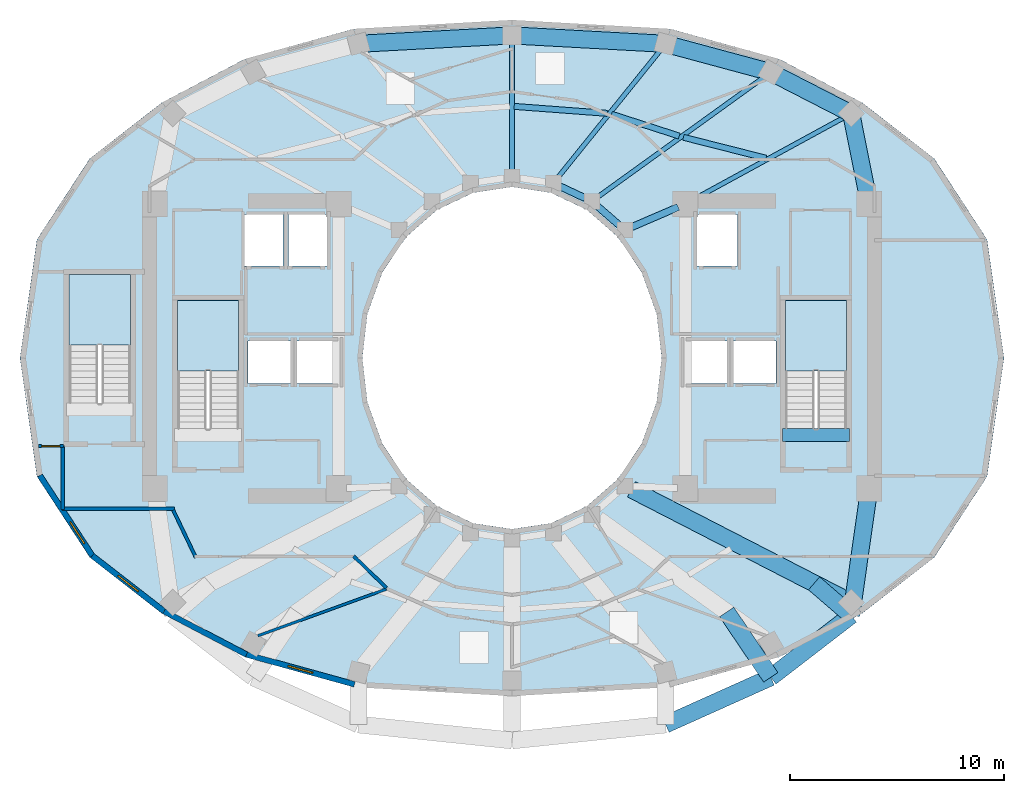
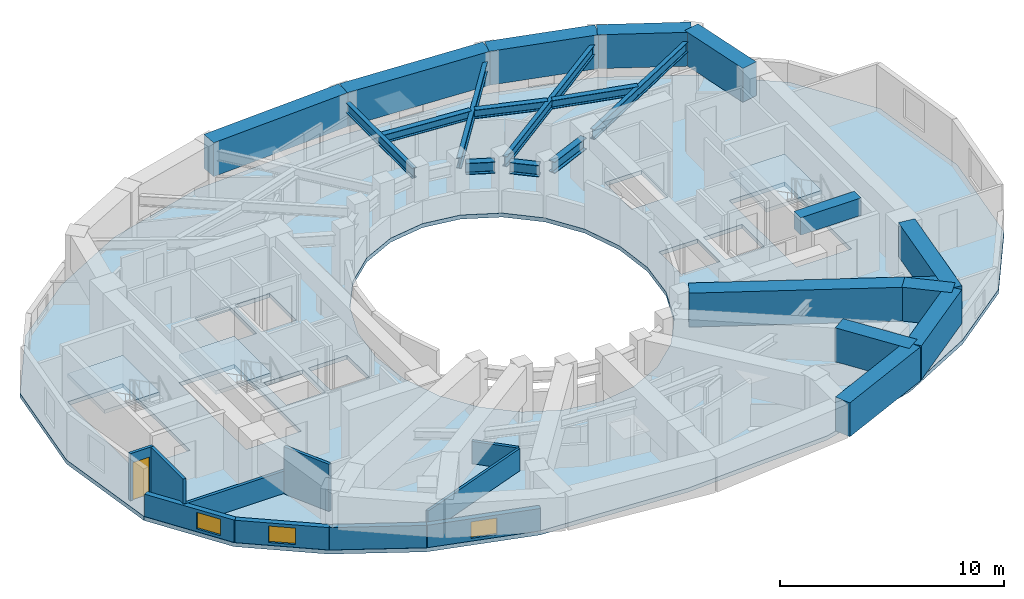
# One storey, part 2 of 9: 22 beams, 10 walls, 4 slabs, 3 windows, 1 door, 4 openings, 3 elements without a shape of their own.
"""IFC4 building model written with IfcOpenShell, lengths in metres."""

from ifc_helpers import new_model, si_unit, direction, frame, frame_2d, origin, origin_2d, place, context, subcontext, project, spatial, polyline, rectangle, i_section, outline, extrude, material, layer, layer_set, material_profile, profile_set, type_object, element, fill, aggregate, save


model = new_model("IFC4")

# Units and contexts
model_context = context("Model", 3, precision=1e-05, world=origin(), true_north=direction((0.0, 1.0)))
body_context = subcontext(model_context, "Body", "Model", "MODEL_VIEW")
ifc_project = project(units=[si_unit("LENGTHUNIT", "METRE"), si_unit("AREAUNIT", "SQUARE_METRE"), si_unit("VOLUMEUNIT", "CUBIC_METRE"), si_unit("PLANEANGLEUNIT", "RADIAN"), si_unit("MASSUNIT", "GRAM", prefix="KILO")], contexts=[model_context])

# Site, building, storey
site_placement = place(None, origin())
site = spatial("IfcSite", under=ifc_project, at=site_placement, CompositionType="ELEMENT")
building_placement = place(site_placement, origin())
building = spatial("IfcBuilding", under=site, at=building_placement, Name="Solvane Sanctuary Tower", CompositionType="ELEMENT")
storey_placement = place(building_placement, frame((0.0, 0.0, 168.39990234375)))
storey = spatial("IfcBuildingStorey", under=building, at=storey_placement, Name="L51", CompositionType="ELEMENT", Elevation=168.39990234375)

# Beams
ifc_material_1 = material(Name="Concrete C70/85", Category="concrete")
ifc_material_profile_1 = material_profile(ifc_material_1, rectangle(XDim=0.60009765625, YDim=0.949951171875, at=origin_2d()), Name="RC600X950")
ifc_profile_set_1 = profile_set([ifc_material_profile_1], Name="Concrete C70/85")
beam_type_1 = type_object("IfcBeamType", Name="Beam B-COUPLE RC600X950", PredefinedType="LINTEL", material=ifc_profile_set_1)
beam_1_placement = place(storey_placement, frame((44.64990234375, 19.399169921875, 2.625), z_axis=(1.0, 0.0, 0.0), x_axis=(0.0, 1.0, 0.0)))
element("IfcBeam", 1, at=beam_1_placement, inside=storey, type_object=beam_type_1, Name="L51 ST-2 Stair Floor Landing Trimmer", PredefinedType="LINTEL", context=body_context, shape_type="SweptSolid", body=[
    extrude(rectangle(XDim=0.60009765625, YDim=0.949951171875, at=origin_2d()), origin(), (0.0, 0.0, 1.0), 3.1201171875),
])
ifc_material_2 = material(Name="Steel ASTM A992 Grade 50", Category="steel")
ifc_material_profile_2 = material_profile(ifc_material_2, i_section(OverallWidth=0.214111328125, OverallDepth=0.549072265625, WebThickness=0.0146484375, FlangeThickness=0.023681640625, FilletRadius=0.014892578125, at=origin_2d()), Name="W21X93")
ifc_profile_set_2 = profile_set([ifc_material_profile_2], Name="Steel ASTM A992 Grade 50")
beam_type_2 = type_object("IfcBeamType", Name="Beam B-RAD-Z3 W21X93", PredefinedType="JOIST", material=ifc_profile_set_2)
beam_2_placement = place(storey_placement, frame((40.416015625, 30.372314453125, 2.323486328125), z_axis=(0.878108435277, 0.478461676516, 0.0), x_axis=(-0.478461676516, 0.878108435277, 0.0)))
element("IfcBeam", 2, at=beam_2_placement, inside=storey, type_object=beam_type_2, Name="L51 Radial Composite Floor Beam 01", PredefinedType="JOIST", context=body_context, shape_type="SweptSolid", body=[
    extrude(i_section(OverallWidth=0.214111328125, OverallDepth=0.549072265625, WebThickness=0.0146484375, FlangeThickness=0.023681640625, FilletRadius=0.014892578125, at=origin_2d()), origin(), (0.0, 0.0, 1.0), 8.193359375),
])
beam_3_placement = place(storey_placement, frame((35.95703125, 30.490234375, 2.323486328125), z_axis=(0.811184384633, 0.584790470277, 0.0), x_axis=(-0.584790470277, 0.811184384633, 0.0)))
element("IfcBeam", 3, at=beam_3_placement, inside=storey, type_object=beam_type_2, Name="L51 Radial Composite Floor Beam 02", PredefinedType="JOIST", context=body_context, shape_type="SweptSolid", body=[
    extrude(i_section(OverallWidth=0.214111328125, OverallDepth=0.549072265625, WebThickness=0.0146484375, FlangeThickness=0.023681640625, FilletRadius=0.014892578125, at=origin_2d()), origin(), (0.0, 0.0, 1.0), 9.756103515625),
])
beam_4_placement = place(storey_placement, frame((34.1064453125, 31.389892578125, 2.323486328125), z_axis=(0.627296867999, 0.778780225352, 0.0), x_axis=(-0.778780225352, 0.627296867999, 0.0)))
element("IfcBeam", 4, at=beam_4_placement, inside=storey, type_object=beam_type_2, Name="L51 Radial Composite Floor Beam 03", PredefinedType="JOIST", context=body_context, shape_type="SweptSolid", body=[
    extrude(i_section(OverallWidth=0.214111328125, OverallDepth=0.549072265625, WebThickness=0.0146484375, FlangeThickness=0.023681640625, FilletRadius=0.014892578125, at=origin_2d()), origin(), (0.0, 0.0, 1.0), 7.805419921875),
])
beam_5_placement = place(storey_placement, frame((32.0, 31.739990234375, 2.323486328125), z_axis=(0.0, 1.0, 0.0), x_axis=(-1.0, 0.0, 0.0)))
element("IfcBeam", 5, at=beam_5_placement, inside=storey, type_object=beam_type_2, Name="L51 Radial Composite Floor Beam 04", PredefinedType="JOIST", context=body_context, shape_type="SweptSolid", body=[
    extrude(i_section(OverallWidth=0.214111328125, OverallDepth=0.549072265625, WebThickness=0.0146484375, FlangeThickness=0.023681640625, FilletRadius=0.014892578125, at=origin_2d()), origin(), (0.0, 0.0, 1.0), 6.06005859375),
])
ifc_material_profile_3 = material_profile(ifc_material_2, i_section(OverallWidth=0.324951171875, OverallDepth=0.615966796875, WebThickness=0.013916015625, FlangeThickness=0.021484375, FilletRadius=0.01611328125, at=origin_2d()), Name="W24X117")
ifc_profile_set_3 = profile_set([ifc_material_profile_3], Name="Steel ASTM A992 Grade 50")
beam_type_3 = type_object("IfcBeamType", Name="Beam B-RING-IN2 W24X117", PredefinedType="BEAM", material=ifc_profile_set_3)
beam_6_placement = place(storey_placement, frame((34.2431640625, 31.02490234375, 2.2900390625), z_axis=(0.9051808128, -0.425026700502, 0.0), x_axis=(0.425026700502, 0.9051808128, 0.0)))
element("IfcBeam", 6, at=beam_6_placement, inside=storey, type_object=beam_type_3, Name="L51 Inner Light-Well Ring Beam IC03-IC02", PredefinedType="BEAM", context=body_context, shape_type="SweptSolid", body=[
    extrude(i_section(OverallWidth=0.324951171875, OverallDepth=0.615966796875, WebThickness=0.013916015625, FlangeThickness=0.021484375, FilletRadius=0.01611328125, at=origin_2d()), origin(), (0.0, 0.0, 1.0), 1.297607421875),
])
beam_7_placement = place(storey_placement, frame((35.990234375, 30.10009765625, 2.2900390625), z_axis=(0.754311313851, -0.656516901379, 0.0), x_axis=(0.656516901379, 0.754311313851, 0.0)))
element("IfcBeam", 7, at=beam_7_placement, inside=storey, type_object=beam_type_3, Name="L51 Inner Light-Well Ring Beam IC02-IC01", PredefinedType="BEAM", context=body_context, shape_type="SweptSolid", body=[
    extrude(i_section(OverallWidth=0.324951171875, OverallDepth=0.615966796875, WebThickness=0.013916015625, FlangeThickness=0.021484375, FilletRadius=0.01611328125, at=origin_2d()), origin(), (0.0, 0.0, 1.0), 1.358154296875),
])
beam_8_placement = place(storey_placement, frame((37.591796875, 29.11865234375, 2.2900390625), z_axis=(0.918264067649, 0.395968561966, 0.0), x_axis=(-0.395968561966, 0.918264067649, 0.0)))
element("IfcBeam", 8, at=beam_8_placement, inside=storey, type_object=beam_type_3, Name="L51 Inner Light-Well Ring Beam IC01-CE4", PredefinedType="BEAM", context=body_context, shape_type="SweptSolid", body=[
    extrude(i_section(OverallWidth=0.324951171875, OverallDepth=0.615966796875, WebThickness=0.013916015625, FlangeThickness=0.021484375, FilletRadius=0.01611328125, at=origin_2d()), origin(), (0.0, 0.0, 1.0), 2.371337890625),
])
ifc_material_profile_4 = material_profile(ifc_material_2, i_section(OverallWidth=0.280029296875, OverallDepth=0.462890625, WebThickness=0.0107421875, FlangeThickness=0.017333984375, FilletRadius=0.013916015625, at=origin_2d()), Name="W18X76")
ifc_profile_set_4 = profile_set([ifc_material_profile_4], Name="Steel ASTM A992 Grade 50")
beam_type_4 = type_object("IfcBeamType", Name="Beam B-SEC-JOIST W18X76", PredefinedType="JOIST", material=ifc_profile_set_4)
beam_9_placement = place(storey_placement, frame((32.101806640625, 34.762451171875, 2.36669921875), z_axis=(0.99721035762, -0.074642498994, 0.0), x_axis=(0.074642498994, 0.99721035762, 0.0)))
element("IfcBeam", 9, at=beam_9_placement, inside=storey, type_object=beam_type_4, Name="L51 Secondary Circumferential Joist 04-03", PredefinedType="JOIST", context=body_context, shape_type="SweptSolid", body=[
    extrude(i_section(OverallWidth=0.280029296875, OverallDepth=0.462890625, WebThickness=0.0107421875, FlangeThickness=0.017333984375, FilletRadius=0.013916015625, at=origin_2d()), origin(), (0.0, 0.0, 1.0), 4.36328125),
])
beam_10_placement = place(storey_placement, frame((36.651611328125, 34.397705078125, 2.36669921875), z_axis=(0.951520984169, -0.307583836842, 0.0), x_axis=(0.307583836842, 0.951520984169, 0.0)))
element("IfcBeam", 10, at=beam_10_placement, inside=storey, type_object=beam_type_4, Name="L51 Secondary Circumferential Joist 03-02", PredefinedType="JOIST", context=body_context, shape_type="SweptSolid", body=[
    extrude(i_section(OverallWidth=0.280029296875, OverallDepth=0.462890625, WebThickness=0.0107421875, FlangeThickness=0.017333984375, FilletRadius=0.013916015625, at=origin_2d()), origin(), (0.0, 0.0, 1.0), 3.32666015625),
])
beam_11_placement = place(storey_placement, frame((40.012939453125, 33.31787109375, 2.36669921875), z_axis=(0.969378020231, -0.245573316737, 0.0), x_axis=(0.245573316737, 0.969378020231, 0.0)))
element("IfcBeam", 11, at=beam_11_placement, inside=storey, type_object=beam_type_4, Name="L51 Secondary Circumferential Joist 02-01", PredefinedType="JOIST", context=body_context, shape_type="SweptSolid", body=[
    extrude(i_section(OverallWidth=0.280029296875, OverallDepth=0.462890625, WebThickness=0.0107421875, FlangeThickness=0.017333984375, FilletRadius=0.013916015625, at=origin_2d()), origin(), (0.0, 0.0, 1.0), 3.988525390625),
])
ifc_material_profile_5 = material_profile(ifc_material_1, rectangle(XDim=0.800048828125, YDim=1.85009765625, at=origin_2d()), Name="RC800X1850")
ifc_profile_set_5 = profile_set([ifc_material_profile_5], Name="Concrete C70/85")
beam_type_5 = type_object("IfcBeamType", Name="Beam B-XFER-BLK RC800X1850", PredefinedType="BEAM", material=ifc_profile_set_5)
beam_12_placement = place(storey_placement, frame((42.03662109375, 11.126708984375, 2.175048828125), z_axis=(0.559400033837, -0.828897823705, 0.0), x_axis=(0.828897823705, 0.559400033837, 0.0)))
element("IfcBeam", 12, at=beam_12_placement, inside=storey, type_object=beam_type_5, Name="L51 Block-Shift Transfer Tie 13B", PredefinedType="BEAM", context=body_context, shape_type="SweptSolid", body=[
    extrude(rectangle(XDim=0.800048828125, YDim=1.85009765625, at=origin_2d()), origin(), (0.0, 0.0, 1.0), 3.685302734375),
])
beam_13_placement = place(storey_placement, frame((37.581787109375, 16.860107421875, 2.175048828125), z_axis=(0.889207637162, -0.457503855735, 0.0), x_axis=(0.457503855735, 0.889207637162, 0.0)))
element("IfcBeam", 13, at=beam_13_placement, inside=storey, type_object=beam_type_5, Name="L51 Block-Shift Radial Transfer Girder 14A", PredefinedType="BEAM", context=body_context, shape_type="SweptSolid", body=[
    extrude(rectangle(XDim=0.800048828125, YDim=1.85009765625, at=origin_2d()), origin(), (0.0, 0.0, 1.0), 11.18505859375),
])
beam_14_placement = place(storey_placement, frame((46.12255859375, 12.4658203125, 2.175048828125), z_axis=(0.757002706343, -0.653411740474, 0.0), x_axis=(0.653411740474, 0.757002706343, 0.0)))
element("IfcBeam", 14, at=beam_14_placement, inside=storey, type_object=beam_type_5, Name="L51 Block-Shift Transfer Tie 14B", PredefinedType="BEAM", context=body_context, shape_type="SweptSolid", body=[
    extrude(rectangle(XDim=0.800048828125, YDim=1.85009765625, at=origin_2d()), origin(), (0.0, 0.0, 1.0), 2.290771484375),
])
for number, where, z_axis, x_axis, name in (
    (15, (24.82177734375, 37.686767578125, 2.175048828125), (0.998502279385, 0.054710127613, 0.0), (-0.054710127613, 0.998502279385, 0.0), "L51 Perimeter Step Transfer Ring NTC05-NTC04"),
    (16, (32.0, 38.080078125, 2.175048828125), (0.998502279385, -0.054710127613, 0.0), (0.054710127613, 0.998502279385, 0.0), "L51 Perimeter Step Transfer Ring NTC04-NTC03"),
):
    element("IfcBeam", number, at=place(storey_placement, frame(where, z_axis=z_axis, x_axis=x_axis)), inside=storey, type_object=beam_type_5, Name=name, PredefinedType="BEAM", context=body_context, shape_type="SweptSolid", body=[
        extrude(rectangle(XDim=0.800048828125, YDim=1.85009765625, at=origin_2d()), origin(), (0.0, 0.0, 1.0), 7.18896484375),
    ])
beam_15_placement = place(storey_placement, frame((39.17822265625, 37.686767578125, 2.175048828125), z_axis=(0.965477774792, -0.260485443705, 0.0), x_axis=(0.260485443705, 0.965477774792, 0.0)))
element("IfcBeam", 17, at=beam_15_placement, inside=storey, type_object=beam_type_5, Name="L51 Perimeter Step Transfer Ring NTC03-NTC02", PredefinedType="BEAM", context=body_context, shape_type="SweptSolid", body=[
    extrude(rectangle(XDim=0.800048828125, YDim=1.85009765625, at=origin_2d()), origin(), (0.0, 0.0, 1.0), 5.095947265625),
])
beam_16_placement = place(storey_placement, frame((44.09814453125, 36.359375, 2.175048828125), z_axis=(0.889297870953, -0.457328434189, 0.0), x_axis=(0.457328434189, 0.889297870953, 0.0)))
element("IfcBeam", 18, at=beam_16_placement, inside=storey, type_object=beam_type_5, Name="L51 Perimeter Step Transfer Ring NTC02-NTC01", PredefinedType="BEAM", context=body_context, shape_type="SweptSolid", body=[
    extrude(rectangle(XDim=0.800048828125, YDim=1.85009765625, at=origin_2d()), origin(), (0.0, 0.0, 1.0), 4.226318359375),
])
beam_17_placement = place(storey_placement, frame((47.856689453125, 34.426513671875, 2.175048828125), z_axis=(0.19562876256, -0.980678024256, 0.0), x_axis=(0.980678024256, 0.19562876256, 0.0)))
element("IfcBeam", 19, at=beam_17_placement, inside=storey, type_object=beam_type_5, Name="L51 Perimeter Step Transfer Ring NTC01-CE3", PredefinedType="BEAM", context=body_context, shape_type="SweptSolid", body=[
    extrude(rectangle(XDim=0.800048828125, YDim=1.85009765625, at=origin_2d()), origin(), (0.0, 0.0, 1.0), 3.949951171875),
])
beam_18_placement = place(storey_placement, frame((39.17822265625, 5.865478515625, 2.175048828125), z_axis=(0.912435879272, 0.409219704092, 0.0), x_axis=(-0.409219704092, 0.912435879272, 0.0)))
element("IfcBeam", 20, at=beam_18_placement, inside=storey, type_object=beam_type_5, Name="L51 Perimeter Step Transfer Ring NTC12-NTC13", PredefinedType="BEAM", context=body_context, shape_type="SweptSolid", body=[
    extrude(rectangle(XDim=0.800048828125, YDim=1.85009765625, at=origin_2d()), origin(), (0.0, 0.0, 1.0), 5.39208984375),
])
beam_19_placement = place(storey_placement, frame((44.09814453125, 8.072021484375, 2.175048828125), z_axis=(0.792034554649, 0.610476260179, 0.0), x_axis=(-0.610476260179, 0.792034554649, 0.0)))
element("IfcBeam", 21, at=beam_19_placement, inside=storey, type_object=beam_type_5, Name="L51 Perimeter Step Transfer Ring NTC13-NTC14", PredefinedType="BEAM", context=body_context, shape_type="SweptSolid", body=[
    extrude(rectangle(XDim=0.800048828125, YDim=1.85009765625, at=origin_2d()), origin(), (0.0, 0.0, 1.0), 4.745361328125),
])
beam_20_placement = place(storey_placement, frame((47.856689453125, 10.968994140625, 2.175048828125), z_axis=(0.1407839619, 0.990040340628, 0.0), x_axis=(-0.990040340628, 0.1407839619, 0.0)))
element("IfcBeam", 22, at=beam_20_placement, inside=storey, type_object=beam_type_5, Name="L51 Perimeter Step Transfer Ring NTC14-CE2", PredefinedType="BEAM", context=body_context, shape_type="SweptSolid", body=[
    extrude(rectangle(XDim=0.800048828125, YDim=1.85009765625, at=origin_2d()), origin(), (0.0, 0.0, 1.0), 5.630859375),
])

# Stair, slab
ifc_material_3 = material(Name="Concrete C45/55", Category="concrete")
stair_type = type_object("IfcStairType", Name="Stair ST-TOW", PredefinedType="HALF_TURN_STAIR", material=ifc_material_3)
stair_1_placement = place(storey_placement, origin())
stair_1 = element("IfcStair", 23, at=stair_1_placement, inside=storey, type_object=stair_type, Name="L51 Exit Stair ST-1 West Core", PredefinedType="HALF_TURN_STAIR")
ifc_layer_1 = layer(ifc_material_3, 0.199951171875, Name="Concrete C45/55")
ifc_layer_set_1 = layer_set([ifc_layer_1], Name="Concrete C45/55")
slab_type_1 = type_object("IfcSlabType", Name="Slab SL-LAND-180", PredefinedType="LANDING", material=ifc_layer_set_1)
slab_1_placement = place(storey_placement, frame((0.0, 0.0, 1.35009765625)))
slab_1 = element("IfcSlab", 24, at=slab_1_placement, type_object=slab_type_1, Name="ST-1 landing 1", PredefinedType="LANDING", context=body_context, shape_type="SweptSolid", body=[
    extrude(outline(polyline([(19.219970703125, 22.39990234375), (19.219970703125, 25.699951171875), (16.360107421875, 25.699951171875), (16.360107421875, 22.39990234375), (19.219970703125, 22.39990234375)])), origin(), (0.0, 0.0, 1.0), 0.199951171875),
])
aggregate(stair_1, [slab_1])

stair_2_placement = place(storey_placement, origin())
stair_2 = element("IfcStair", 25, at=stair_2_placement, inside=storey, type_object=stair_type, Name="L51 Exit Stair ST-2 East Core", PredefinedType="HALF_TURN_STAIR")
slab_2_placement = place(storey_placement, frame((0.0, 0.0, 1.35009765625)))
slab_2 = element("IfcSlab", 26, at=slab_2_placement, type_object=slab_type_1, Name="ST-2 landing 1", PredefinedType="LANDING", context=body_context, shape_type="SweptSolid", body=[
    extrude(outline(polyline([(47.639892578125, 22.39990234375), (47.639892578125, 25.699951171875), (44.780029296875, 25.699951171875), (44.780029296875, 22.39990234375), (47.639892578125, 22.39990234375)])), origin(), (0.0, 0.0, 1.0), 0.199951171875),
])
aggregate(stair_2, [slab_2])

stair_3_placement = place(storey_placement, origin())
stair_3 = element("IfcStair", 27, at=stair_3_placement, inside=storey, type_object=stair_type, Name="L51 Exit Stair ST-3 Pilgrim Tower Stair", PredefinedType="HALF_TURN_STAIR")
slab_3_placement = place(storey_placement, frame((0.0, 0.0, 1.35009765625)))
slab_3 = element("IfcSlab", 28, at=slab_3_placement, type_object=slab_type_1, Name="ST-3 landing 1", PredefinedType="LANDING", context=body_context, shape_type="SweptSolid", body=[
    extrude(outline(polyline([(14.159912109375, 23.60009765625), (14.159912109375, 26.89990234375), (11.300048828125, 26.89990234375), (11.300048828125, 23.60009765625), (14.159912109375, 23.60009765625)])), origin(), (0.0, 0.0, 1.0), 0.199951171875),
])
aggregate(stair_3, [slab_3])

# Slab
ifc_layer_2 = layer(ifc_material_3, 0.219970703125, Name="Concrete C45/55")
ifc_layer_set_2 = layer_set([ifc_layer_2], Name="Concrete C45/55")
slab_type_2 = type_object("IfcSlabType", Name="Slab SL-TOW-220", PredefinedType="FLOOR", material=ifc_layer_set_2)
slab_4_placement = place(storey_placement, frame((0.0, 0.0, -0.219970703125)))
element("IfcSlab", 29, at=slab_4_placement, inside=storey, type_object=slab_type_2, Name="L51 Primary Structural Slab", PredefinedType="FLOOR", context=body_context, shape_type="SweptSolid", body=[
    extrude(outline(polyline([(55.0, 23.0), (54.205322265625, 28.54150390625), (51.7392578125, 32.3193359375), (48.368896484375, 34.938720703125), (44.489013671875, 36.977294921875), (39.410400390625, 38.3818359375), (32.0, 38.800048828125), (24.589599609375, 38.3818359375), (19.510986328125, 36.977294921875), (15.631103515625, 34.938720703125), (12.2607421875, 32.3193359375), (9.794677734375, 28.54150390625), (9.0, 23.0), (9.794677734375, 17.45849609375), (12.2607421875, 13.6806640625), (15.631103515625, 11.061279296875), (19.510986328125, 9.022705078125), (24.589599609375, 7.6181640625), (32.0, 7.199951171875), (39.410400390625, 7.6181640625), (44.489013671875, 9.022705078125), (48.368896484375, 11.061279296875), (51.7392578125, 13.6806640625), (54.205322265625, 17.45849609375), (55.0, 23.0)]), holes=[polyline([(38.761474609375, 20.929443359375), (38.062255859375, 19.0), (36.94970703125, 17.343017578125), (35.5, 16.07177734375), (33.811767578125, 15.272705078125), (32.0, 15.0), (30.188232421875, 15.272705078125), (28.5, 16.07177734375), (27.05029296875, 17.343017578125), (25.937744140625, 19.0), (25.238525390625, 20.929443359375), (25.0, 23.0), (25.238525390625, 25.070556640625), (25.937744140625, 27.0), (27.05029296875, 28.656982421875), (28.5, 29.92822265625), (30.188232421875, 30.727294921875), (32.0, 31.0), (33.811767578125, 30.727294921875), (35.5, 29.92822265625), (36.94970703125, 28.656982421875), (38.062255859375, 27.0), (38.761474609375, 25.070556640625), (39.0, 23.0), (38.761474609375, 20.929443359375)]), polyline([(16.360107421875, 19.699951171875), (16.360107421875, 25.699951171875), (19.219970703125, 25.699951171875), (19.219970703125, 19.699951171875), (16.360107421875, 19.699951171875)]), polyline([(44.780029296875, 19.699951171875), (44.780029296875, 25.699951171875), (47.639892578125, 25.699951171875), (47.639892578125, 19.699951171875), (44.780029296875, 19.699951171875)]), polyline([(11.300048828125, 20.89990234375), (11.300048828125, 26.89990234375), (14.159912109375, 26.89990234375), (14.159912109375, 20.89990234375), (11.300048828125, 20.89990234375)]), polyline([(19.64990234375, 23.800048828125), (21.64990234375, 23.800048828125), (21.64990234375, 21.800048828125), (19.64990234375, 21.800048828125), (19.64990234375, 23.800048828125)]), polyline([(42.35009765625, 23.800048828125), (44.35009765625, 23.800048828125), (44.35009765625, 21.800048828125), (42.35009765625, 21.800048828125), (42.35009765625, 23.800048828125)]), polyline([(21.949951171875, 23.800048828125), (23.949951171875, 23.800048828125), (23.949951171875, 21.800048828125), (21.949951171875, 21.800048828125), (21.949951171875, 23.800048828125)]), polyline([(40.050048828125, 23.800048828125), (42.050048828125, 23.800048828125), (42.050048828125, 21.800048828125), (40.050048828125, 21.800048828125), (40.050048828125, 23.800048828125)]), polyline([(19.5, 29.699951171875), (21.300048828125, 29.699951171875), (21.300048828125, 27.300048828125), (19.5, 27.300048828125), (19.5, 29.699951171875)]), polyline([(21.550048828125, 29.699951171875), (23.35009765625, 29.699951171875), (23.35009765625, 27.300048828125), (21.550048828125, 27.300048828125), (21.550048828125, 29.699951171875)]), polyline([(40.64990234375, 29.699951171875), (42.550048828125, 29.699951171875), (42.550048828125, 27.300048828125), (40.64990234375, 27.300048828125), (40.64990234375, 29.699951171875)])]), origin(), (0.0, 0.0, 1.0), 0.219970703125),
])

# Wall, opening, door
ifc_material_4 = material(Name="Acoustic Gypsum Partition Board")
ifc_layer_3 = layer(ifc_material_4, 0.14990234375, Name="Acoustic Gypsum Partition Board")
ifc_layer_set_3 = layer_set([ifc_layer_3], Name="Acoustic Gypsum Partition Board")
wall_type_1 = type_object("IfcWallType", Name="Wall W-CORR-150", PredefinedType="PARTITIONING", material=ifc_layer_set_3)
wall_1_placement = place(storey_placement, frame((9.869873046875, 18.8798828125, 0.0), z_axis=(0.0, 0.0, 1.0), x_axis=(1.0, 0.0, 0.0)))
wall_1 = element("IfcWall", 30, at=wall_1_placement, inside=storey, type_object=wall_type_1, Name="L51 SW Corner Closer 1", PredefinedType="PARTITIONING", context=body_context, shape_type="SweptSolid", body=[
    extrude(rectangle(XDim=1.170166015625, YDim=0.14990234375, at=frame_2d((0.5849609375, 0.0))), origin(), (0.0, 0.0, 1.0), 2.5751953125),
])
opening_1_placement = place(wall_1_placement, frame((0.139892578125, 0.0, 0.0)))
opening_1 = element("IfcOpeningElement", 31, at=opening_1_placement, cuts=wall_1, Name="Opening D-L51-14", PredefinedType="OPENING", context=body_context, shape_type="SweptSolid", body=[
    extrude(rectangle(XDim=0.85009765625, YDim=2.050048828125, at=frame_2d((0.425048828125, 1.02490234375))), frame((0.0, 0.0849609375, 0.0), z_axis=(0.0, -1.0, 0.0), x_axis=(1.0, 0.0, 0.0)), (0.0, 0.0, 1.0), 0.169921875),
])
ifc_material_5 = material(Name="Architectural Stainless Steel 316", Category="steel")
door_type = type_object("IfcDoorType", Name="Door D-RISER", OperationType="NOTDEFINED", PredefinedType="DOOR", material=ifc_material_5)
door_placement = place(opening_1_placement, origin())
door = element("IfcDoor", 32, at=door_placement, inside=storey, type_object=door_type, Name="L51 West Lookout Study Door", OperationType="SINGLE_SWING_RIGHT", OverallHeight=2.050048828125, OverallWidth=0.85009765625, PredefinedType="DOOR", context=body_context, shape_type="SweptSolid", body=[
    extrude(rectangle(XDim=0.85009765625, YDim=2.050048828125, at=frame_2d((0.425048828125, 1.02490234375))), frame((0.0, 0.02490234375, 0.0), z_axis=(0.0, -1.0, 0.0), x_axis=(1.0, 0.0, 0.0)), (0.0, 0.0, 1.0), 0.050048828125),
])
fill(opening_1, door)

# Walls
wall_2_placement = place(storey_placement, frame((11.0, 15.909912109375, 0.0), z_axis=(0.0, 0.0, 1.0), x_axis=(0.0, 1.0, 0.0)))
element("IfcWall", 33, at=wall_2_placement, inside=storey, type_object=wall_type_1, Name="L51 SW Corner Closer 2", PredefinedType="PARTITIONING", context=body_context, shape_type="SweptSolid", body=[
    extrude(rectangle(XDim=3.010009765625, YDim=0.14990234375, at=frame_2d((1.5048828125, 0.0))), origin(), (0.0, 0.0, 1.0), 2.5751953125),
])
wall_3_placement = place(storey_placement, frame((10.9599609375, 15.949951171875, 0.0), z_axis=(0.0, 0.0, 1.0), x_axis=(1.0, 0.0, 0.0)))
element("IfcWall", 34, at=wall_3_placement, inside=storey, type_object=wall_type_1, Name="L51 SW Corner Closer 3", PredefinedType="PARTITIONING", context=body_context, shape_type="SweptSolid", body=[
    extrude(rectangle(XDim=5.260009765625, YDim=0.14990234375, at=frame_2d((2.6298828125, 0.0))), origin(), (0.0, 0.0, 1.0), 1.22021484375),
])
wall_4_placement = place(storey_placement, frame((26.132568359375, 12.251220703125, 0.0), z_axis=(0.0, 0.0, 1.0), x_axis=(-0.717419568599, 0.696641344302, 0.0)))
element("IfcWall", 35, at=wall_4_placement, inside=storey, type_object=wall_type_1, Name="L51 SW Corner Throat Wall", PredefinedType="PARTITIONING", context=body_context, shape_type="SweptSolid", body=[
    extrude(rectangle(XDim=2.138427734375, YDim=0.14990234375, at=frame_2d((1.0693359375, 0.0))), origin(), (0.0, 0.0, 1.0), 1.22021484375),
])
wall_5_placement = place(storey_placement, frame((17.2216796875, 13.6748046875, 0.0), z_axis=(0.0, 0.0, 1.0), x_axis=(-0.431973389813, 0.901886351207, 0.0)))
element("IfcWall", 36, at=wall_5_placement, inside=storey, type_object=wall_type_1, Name="L51 SW Corner Wing Wall", PredefinedType="PARTITIONING", context=body_context, shape_type="SweptSolid", body=[
    extrude(rectangle(XDim=2.45166015625, YDim=0.14990234375, at=frame_2d((1.225830078125, 0.0))), origin(), (0.0, 0.0, 1.0), 2.5751953125),
])

# Wall, opening, window
ifc_material_6 = material(Name="Precast concrete C40/50", Category="concrete")
ifc_layer_4 = layer(ifc_material_6, 0.260009765625, Name="Precast concrete C40/50")
ifc_layer_set_4 = layer_set([ifc_layer_4], Name="Precast concrete C40/50")
wall_type_2 = type_object("IfcWallType", Name="Wall W-EXT-250", PredefinedType="STANDARD", material=ifc_layer_set_4)
wall_6_placement = place(storey_placement, frame((9.9296875, 17.50341796875, 0.0), z_axis=(0.0, 0.0, 1.0), x_axis=(0.547456494366, -0.836834145322, 0.0)))
wall_6 = element("IfcWall", 37, at=wall_6_placement, inside=storey, type_object=wall_type_2, Name="L51 Ceramic-Printed Facade Wall 13", PredefinedType="STANDARD", context=body_context, shape_type="SweptSolid", body=[
    extrude(rectangle(XDim=4.477294921875, YDim=0.260009765625, at=frame_2d((2.23876953125, 0.0))), origin(), (0.0, 0.0, 1.0), 1.22021484375),
])
opening_2_placement = place(wall_6_placement, frame((2.59130859375, 0.0, 0.14990234375)))
opening_2 = element("IfcOpeningElement", 38, at=opening_2_placement, cuts=wall_6, Name="Opening WN-OPER-1200", PredefinedType="OPENING", context=body_context, shape_type="SweptSolid", body=[
    extrude(rectangle(XDim=1.199951171875, YDim=0.89990234375, at=frame_2d((0.60009765625, 0.449951171875))), frame((0.0, 0.139892578125, 0.0), z_axis=(0.0, -1.0, 0.0), x_axis=(1.0, 0.0, 0.0)), (0.0, 0.0, 1.0), 0.280029296875),
])
ifc_material_7 = material(Name="Dark Ceramic-Fritted Low-E Glass", Category="glass")
window_type = type_object("IfcWindowType", Name="Window WN-OPER-1200", PartitioningType="SINGLE_PANEL", PredefinedType="WINDOW", material=ifc_material_7)
window_1_placement = place(opening_2_placement, origin())
window_1 = element("IfcWindow", 39, at=window_1_placement, inside=storey, type_object=window_type, Name="L51 Operable Facade Window 13", OverallHeight=0.89990234375, OverallWidth=1.199951171875, PartitioningType="SINGLE_PANEL", PredefinedType="WINDOW", context=body_context, shape_type="SweptSolid", body=[
    extrude(rectangle(XDim=1.199951171875, YDim=0.89990234375, at=frame_2d((0.60009765625, 0.449951171875))), frame((0.0, 0.030029296875, 0.0), z_axis=(0.0, -1.0, 0.0), x_axis=(1.0, 0.0, 0.0)), (0.0, 0.0, 1.0), 0.06005859375),
])
fill(opening_2, window_1)

wall_7_placement = place(storey_placement, frame((12.380859375, 13.756591796875, 0.0), z_axis=(0.0, 0.0, 1.0), x_axis=(0.790185650662, -0.612867552973, 0.0)))
wall_7 = element("IfcWall", 40, at=wall_7_placement, inside=storey, type_object=wall_type_2, Name="L51 Ceramic-Printed Facade Wall 14", PredefinedType="STANDARD", context=body_context, shape_type="SweptSolid", body=[
    extrude(rectangle(XDim=4.2392578125, YDim=0.260009765625, at=frame_2d((2.11962890625, 0.0))), origin(), (0.0, 0.0, 1.0), 1.22021484375),
])
opening_3_placement = place(wall_7_placement, frame((1.51953125, 0.0, 0.14990234375)))
opening_3 = element("IfcOpeningElement", 41, at=opening_3_placement, cuts=wall_7, Name="Opening WN-OPER-1200", PredefinedType="OPENING", context=body_context, shape_type="SweptSolid", body=[
    extrude(rectangle(XDim=1.199951171875, YDim=0.89990234375, at=frame_2d((0.60009765625, 0.449951171875))), frame((0.0, 0.139892578125, 0.0), z_axis=(0.0, -1.0, 0.0), x_axis=(1.0, 0.0, 0.0)), (0.0, 0.0, 1.0), 0.280029296875),
])
window_2_placement = place(opening_3_placement, origin())
window_2 = element("IfcWindow", 42, at=window_2_placement, inside=storey, type_object=window_type, Name="L51 Operable Facade Window 14", OverallHeight=0.89990234375, OverallWidth=1.199951171875, PartitioningType="SINGLE_PANEL", PredefinedType="WINDOW", context=body_context, shape_type="SweptSolid", body=[
    extrude(rectangle(XDim=1.199951171875, YDim=0.89990234375, at=frame_2d((0.60009765625, 0.449951171875))), frame((0.0, 0.030029296875, 0.0), z_axis=(0.0, -1.0, 0.0), x_axis=(1.0, 0.0, 0.0)), (0.0, 0.0, 1.0), 0.06005859375),
])
fill(opening_3, window_2)

# Wall
wall_8_placement = place(storey_placement, frame((15.730712890625, 11.158447265625, 0.0), z_axis=(0.0, 0.0, 1.0), x_axis=(0.885660265226, -0.464333818065, 0.0)))
element("IfcWall", 43, at=wall_8_placement, inside=storey, type_object=wall_type_2, Name="L51 Ceramic-Printed Facade Wall 15", PredefinedType="STANDARD", context=body_context, shape_type="SweptSolid", body=[
    extrude(rectangle(XDim=4.35400390625, YDim=0.260009765625, at=frame_2d((2.177001953125, 0.0))), origin(), (0.0, 0.0, 1.0), 1.22021484375),
])

# Wall, opening, window
wall_9_placement = place(storey_placement, frame((19.5869140625, 9.13671875, 0.0), z_axis=(0.0, 0.0, 1.0), x_axis=(0.963953455704, -0.26607092144, 0.0)))
wall_9 = element("IfcWall", 44, at=wall_9_placement, inside=storey, type_object=wall_type_2, Name="L51 Ceramic-Printed Facade Wall 16", PredefinedType="STANDARD", context=body_context, shape_type="SweptSolid", body=[
    extrude(rectangle(XDim=5.236572265625, YDim=0.260009765625, at=frame_2d((2.6181640625, 0.0))), origin(), (0.0, 0.0, 1.0), 1.22021484375),
])
opening_4_placement = place(wall_9_placement, frame((2.018310546875, 0.0, 0.14990234375)))
opening_4 = element("IfcOpeningElement", 45, at=opening_4_placement, cuts=wall_9, Name="Opening WN-OPER-1200", PredefinedType="OPENING", context=body_context, shape_type="SweptSolid", body=[
    extrude(rectangle(XDim=1.199951171875, YDim=0.89990234375, at=frame_2d((0.60009765625, 0.449951171875))), frame((0.0, 0.139892578125, 0.0), z_axis=(0.0, -1.0, 0.0), x_axis=(1.0, 0.0, 0.0)), (0.0, 0.0, 1.0), 0.280029296875),
])
window_3_placement = place(opening_4_placement, origin())
window_3 = element("IfcWindow", 46, at=window_3_placement, inside=storey, type_object=window_type, Name="L51 Operable Facade Window 16", OverallHeight=0.89990234375, OverallWidth=1.199951171875, PartitioningType="SINGLE_PANEL", PredefinedType="WINDOW", context=body_context, shape_type="SweptSolid", body=[
    extrude(rectangle(XDim=1.199951171875, YDim=0.89990234375, at=frame_2d((0.60009765625, 0.449951171875))), frame((0.0, 0.030029296875, 0.0), z_axis=(0.0, -1.0, 0.0), x_axis=(1.0, 0.0, 0.0)), (0.0, 0.0, 1.0), 0.06005859375),
])
fill(opening_4, window_3)

# Wall
ifc_layer_5 = layer(ifc_material_4, 0.125, Name="Acoustic Gypsum Partition Board")
ifc_layer_set_5 = layer_set([ifc_layer_5], Name="Acoustic Gypsum Partition Board")
wall_type_3 = type_object("IfcWallType", Name="Wall W-PART-125", PredefinedType="PARTITIONING", material=ifc_layer_set_5)
wall_10_placement = place(storey_placement, frame((26.120361328125, 12.194091796875, 0.0), z_axis=(0.0, 0.0, 1.0), x_axis=(-0.939901628116, -0.341445353557, 0.0)))
element("IfcWall", 47, at=wall_10_placement, inside=storey, type_object=wall_type_3, Name="L51 Radial Compartment Wall 240", PredefinedType="PARTITIONING", context=body_context, shape_type="SweptSolid", body=[
    extrude(rectangle(XDim=6.38720703125, YDim=0.125, at=frame_2d((3.193603515625, 0.0))), origin(), (0.0, 0.0, 1.0), 1.22021484375),
])

save(model, "model.ifc")
